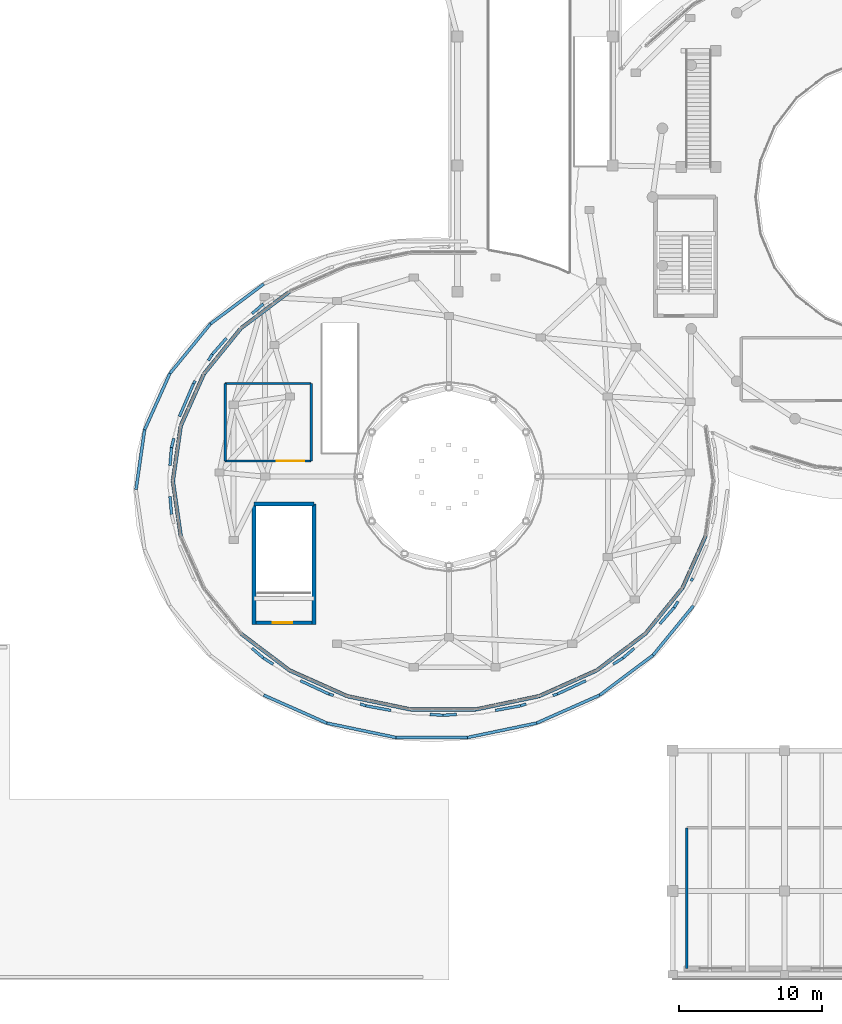
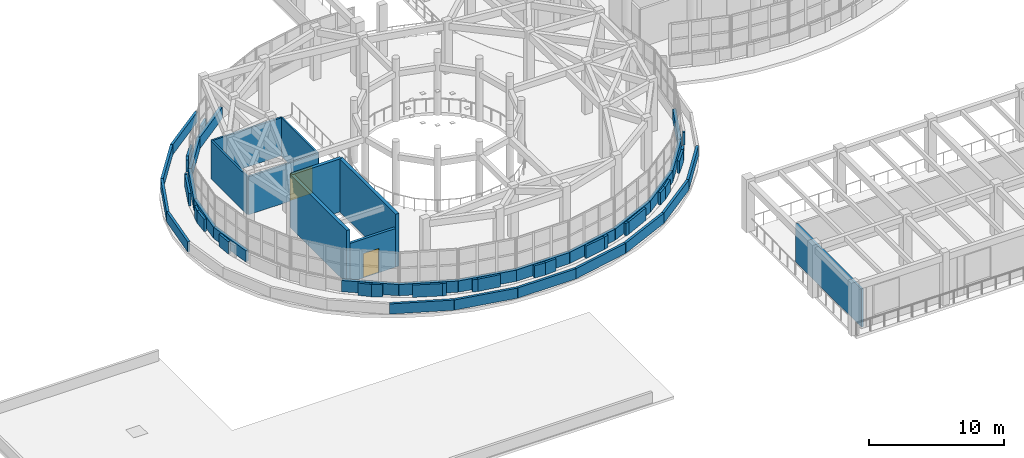
# One storey, part 70 of 98: 59 walls, 2 doors, 2 openings.
"""IFC4 building model written with IfcOpenShell, lengths in metres."""

from ifc_helpers import new_model, si_unit, direction, frame, frame_2d, origin, place, context, subcontext, project, spatial, rectangle, extrude, material, layer, layer_set, type_object, element, fill, save


model = new_model("IFC4")

# Units and contexts
model_context = context("Model", 3, precision=1e-05, world=origin(), true_north=direction((0.0, 1.0)))
body_context = subcontext(model_context, "Body", "Model", "MODEL_VIEW")
ifc_project = project(units=[si_unit("LENGTHUNIT", "METRE"), si_unit("AREAUNIT", "SQUARE_METRE"), si_unit("VOLUMEUNIT", "CUBIC_METRE"), si_unit("PLANEANGLEUNIT", "RADIAN"), si_unit("MASSUNIT", "GRAM", prefix="KILO")], contexts=[model_context])

# Site, building, storey
site_placement = place(None, origin())
site = spatial("IfcSite", under=ifc_project, at=site_placement, CompositionType="ELEMENT")
building_placement = place(site_placement, origin())
building = spatial("IfcBuilding", under=site, at=building_placement, Name="Pelvatis Terrace Science Centre", CompositionType="ELEMENT")
storey_placement = place(building_placement, frame((0.0, 0.0, 5.39990234375)))
storey = spatial("IfcBuildingStorey", under=building, at=storey_placement, Name="L01", CompositionType="ELEMENT", Elevation=5.39990234375)

# Walls
ifc_material_1 = material(Name="White architectural precast concrete C40/50 spandrel", Category="concrete")
ifc_layer_1 = layer(ifc_material_1, 0.260009765625)
ifc_layer_set_1 = layer_set([ifc_layer_1], Name="White architectural precast concrete C40/50 spandrel")
wall_type_1 = type_object("IfcWallType", Name="WL-EXT-SPND-260", PredefinedType="SOLIDWALL", material=ifc_layer_set_1)
wall_1_placement = place(storey_placement, frame((35.69189453125, 48.0087890625, 0.0), z_axis=(0.0, 0.0, 1.0), x_axis=(-0.798346644806, -0.602198168983, 0.0)))
element("IfcWall", 1, at=wall_1_placement, inside=storey, type_object=wall_type_1, Name="V3 white spiral spandrel band 10 (L01)", PredefinedType="SOLIDWALL", context=body_context, shape_type="SweptSolid", body=[
    extrude(rectangle(XDim=4.260498046875, YDim=0.260009765625, at=frame_2d((2.13037109375, 0.0))), origin(), (0.0, 0.0, 1.0), 1.02001953125),
])
wall_2_placement = place(storey_placement, frame((32.29052734375, 45.443115234375, 0.0), z_axis=(0.0, 0.0, 1.0), x_axis=(-0.629715516783, -0.776825828563, 0.0)))
element("IfcWall", 2, at=wall_2_placement, inside=storey, type_object=wall_type_1, Name="V3 white spiral spandrel band 11 (L01)", PredefinedType="SOLIDWALL", context=body_context, shape_type="SweptSolid", body=[
    extrude(rectangle(XDim=4.09912109375, YDim=0.260009765625, at=frame_2d((2.049560546875, 0.0))), origin(), (0.0, 0.0, 1.0), 1.02001953125),
])
wall_3_placement = place(storey_placement, frame((29.709228515625, 42.2587890625, 0.0), z_axis=(0.0, 0.0, 1.0), x_axis=(-0.406921913595, -0.91346294738, 0.0)))
element("IfcWall", 3, at=wall_3_placement, inside=storey, type_object=wall_type_1, Name="V3 white spiral spandrel band 12 (L01)", PredefinedType="SOLIDWALL", context=body_context, shape_type="SweptSolid", body=[
    extrude(rectangle(XDim=3.96044921875, YDim=0.260009765625, at=frame_2d((1.980224609375, 0.0))), origin(), (0.0, 0.0, 1.0), 1.02001953125),
])
for number, where, z_axis, x_axis, name in (
    (4, (28.09765625, 38.64111328125, 0.0), (0.0, 0.0, 1.0), (-0.141139449152, -0.989989725145, 0.0), "V3 white spiral spandrel band 13 (L01)"),
    (5, (27.550048828125, 34.800048828125, 0.0), (0.0, 0.0, 1.0), (0.141139449152, -0.989989725145, 0.0), "V3 white spiral spandrel band 14 (L01)"),
):
    element("IfcWall", number, at=place(storey_placement, frame(where, z_axis=z_axis, x_axis=x_axis)), inside=storey, type_object=wall_type_1, Name=name, PredefinedType="SOLIDWALL", context=body_context, shape_type="SweptSolid", body=[
        extrude(rectangle(XDim=3.8798828125, YDim=0.260009765625, at=frame_2d((1.93994140625, 0.0))), origin(), (0.0, 0.0, 1.0), 1.02001953125),
    ])
wall_4_placement = place(storey_placement, frame((32.29052734375, 24.156982421875, 0.0), z_axis=(0.0, 0.0, 1.0), x_axis=(0.798319095723, -0.602234689639, 0.0)))
element("IfcWall", 6, at=wall_4_placement, inside=storey, type_object=wall_type_1, Name="V3 white spiral spandrel band 17 (L01)", PredefinedType="SOLIDWALL", context=body_context, shape_type="SweptSolid", body=[
    extrude(rectangle(XDim=4.2607421875, YDim=0.260009765625, at=frame_2d((2.13037109375, 0.0))), origin(), (0.0, 0.0, 1.0), 1.02001953125),
])
wall_5_placement = place(storey_placement, frame((35.69189453125, 21.591064453125, 0.0), z_axis=(0.0, 0.0, 1.0), x_axis=(0.91299422414, -0.407972482757, 0.0)))
element("IfcWall", 7, at=wall_5_placement, inside=storey, type_object=wall_type_1, Name="V3 white spiral spandrel band 18 (L01)", PredefinedType="SOLIDWALL", context=body_context, shape_type="SweptSolid", body=[
    extrude(rectangle(XDim=4.407470703125, YDim=0.260009765625, at=frame_2d((2.20361328125, 0.0))), origin(), (0.0, 0.0, 1.0), 1.02001953125),
])
wall_6_placement = place(storey_placement, frame((39.7158203125, 19.79296875, 0.0), z_axis=(0.0, 0.0, 1.0), x_axis=(0.9786765816, -0.205407275012, 0.0)))
element("IfcWall", 8, at=wall_6_placement, inside=storey, type_object=wall_type_1, Name="V3 white spiral spandrel band 19 (L01)", PredefinedType="SOLIDWALL", context=body_context, shape_type="SweptSolid", body=[
    extrude(rectangle(XDim=4.50830078125, YDim=0.260009765625, at=frame_2d((2.254150390625, 0.0))), origin(), (0.0, 0.0, 1.0), 1.02001953125),
])
wall_7_placement = place(storey_placement, frame((44.1279296875, 18.866943359375, 0.0), z_axis=(0.0, 0.0, 1.0), x_axis=(1.0, 0.0, 0.0)))
element("IfcWall", 9, at=wall_7_placement, inside=storey, type_object=wall_type_1, Name="V3 white spiral spandrel band 20 (L01)", PredefinedType="SOLIDWALL", context=body_context, shape_type="SweptSolid", body=[
    extrude(rectangle(XDim=4.544189453125, YDim=0.260009765625, at=frame_2d((2.27197265625, 0.0))), origin(), (0.0, 0.0, 1.0), 1.02001953125),
])
wall_8_placement = place(storey_placement, frame((48.672119140625, 18.866943359375, 0.0), z_axis=(0.0, 0.0, 1.0), x_axis=(0.9786765816, 0.205407275012, 0.0)))
element("IfcWall", 10, at=wall_8_placement, inside=storey, type_object=wall_type_1, Name="V3 white spiral spandrel band 21 (L01)", PredefinedType="SOLIDWALL", context=body_context, shape_type="SweptSolid", body=[
    extrude(rectangle(XDim=4.50830078125, YDim=0.260009765625, at=frame_2d((2.254150390625, 0.0))), origin(), (0.0, 0.0, 1.0), 1.02001953125),
])
wall_9_placement = place(storey_placement, frame((53.084228515625, 19.79296875, 0.0), z_axis=(0.0, 0.0, 1.0), x_axis=(0.912985003676, 0.407993116441, 0.0)))
element("IfcWall", 11, at=wall_9_placement, inside=storey, type_object=wall_type_1, Name="V3 white spiral spandrel band 22 (L01)", PredefinedType="SOLIDWALL", context=body_context, shape_type="SweptSolid", body=[
    extrude(rectangle(XDim=4.4072265625, YDim=0.260009765625, at=frame_2d((2.20361328125, 0.0))), origin(), (0.0, 0.0, 1.0), 1.02001953125),
])
wall_10_placement = place(storey_placement, frame((57.10791015625, 21.591064453125, 0.0), z_axis=(0.0, 0.0, 1.0), x_axis=(0.798339876644, 0.602207141572, 0.0)))
element("IfcWall", 12, at=wall_10_placement, inside=storey, type_object=wall_type_1, Name="V3 white spiral spandrel band 23 (L01)", PredefinedType="SOLIDWALL", context=body_context, shape_type="SweptSolid", body=[
    extrude(rectangle(XDim=4.2607421875, YDim=0.260009765625, at=frame_2d((2.13037109375, 0.0))), origin(), (0.0, 0.0, 1.0), 1.02001953125),
])
wall_11_placement = place(storey_placement, frame((60.509521484375, 24.156982421875, 0.0), z_axis=(0.0, 0.0, 1.0), x_axis=(0.629715516783, 0.776825828563, 0.0)))
element("IfcWall", 13, at=wall_11_placement, inside=storey, type_object=wall_type_1, Name="V3 white spiral spandrel band 24 (L01)", PredefinedType="SOLIDWALL", context=body_context, shape_type="SweptSolid", body=[
    extrude(rectangle(XDim=4.09912109375, YDim=0.260009765625, at=frame_2d((2.049560546875, 0.0))), origin(), (0.0, 0.0, 1.0), 1.02001953125),
])
wall_12_placement = place(storey_placement, frame((63.0908203125, 27.34130859375, 0.0), z_axis=(0.0, 0.0, 1.0), x_axis=(0.406921913595, 0.91346294738, 0.0)))
element("IfcWall", 14, at=wall_12_placement, inside=storey, type_object=wall_type_1, Name="V3 white spiral spandrel band 25 (L01)", PredefinedType="SOLIDWALL", context=body_context, shape_type="SweptSolid", body=[
    extrude(rectangle(XDim=3.96044921875, YDim=0.260009765625, at=frame_2d((1.980224609375, 0.0))), origin(), (0.0, 0.0, 1.0), 1.02001953125),
])

# Wall, opening, door
ifc_material_2 = material(Name="Concrete C35/45 stair enclosure wall", Category="concrete")
ifc_layer_2 = layer(ifc_material_2, 0.22509765625)
ifc_layer_set_2 = layer_set([ifc_layer_2], Name="Concrete C35/45 stair enclosure wall")
wall_type_2 = type_object("IfcWallType", Name="WL-INT-CORE-225", PredefinedType="PARTITIONING", material=ifc_layer_set_2)
wall_13_placement = place(storey_placement, frame((33.340087890625, 24.919921875, 0.0), z_axis=(0.0, 0.0, 1.0), x_axis=(1.0, 0.0, 0.0)))
wall_13 = element("IfcWall", 15, at=wall_13_placement, inside=storey, type_object=wall_type_2, Name="Stair ST-08 shaft wall S (L01)", PredefinedType="PARTITIONING", context=body_context, shape_type="SweptSolid", body=[
    extrude(rectangle(XDim=3.919921875, YDim=0.22509765625, at=frame_2d((1.9599609375, 0.0))), origin(), (0.0, 0.0, 1.0), 3.510009765625),
])
opening_1_placement = place(wall_13_placement, frame((1.173095703125, 0.0, 0.0)))
opening_1 = element("IfcOpeningElement", 16, at=opening_1_placement, cuts=wall_13, Name="Opening D-161", PredefinedType="OPENING", context=body_context, shape_type="SweptSolid", body=[
    extrude(rectangle(XDim=1.35009765625, YDim=2.199951171875, at=frame_2d((0.675048828125, 1.10009765625))), frame((0.0, 0.12255859375, 0.0), z_axis=(0.0, -1.0, 0.0), x_axis=(1.0, 0.0, 0.0)), (0.0, 0.0, 1.0), 0.2451171875),
])
ifc_material_3 = material(Name="Steel fire-rated protected stair door", Category="steel")
door_type_1 = type_object("IfcDoorType", Name="DR-STAIR-1350x2200", OperationType="NOTDEFINED", PredefinedType="DOOR", material=ifc_material_3)
door_1_placement = place(opening_1_placement, origin())
door_1 = element("IfcDoor", 17, at=door_1_placement, inside=storey, type_object=door_type_1, Name="Stair ST-08 fire door (L01)", OperationType="SINGLE_SWING_RIGHT", OverallHeight=2.199951171875, OverallWidth=1.35009765625, PredefinedType="DOOR", context=body_context, shape_type="SweptSolid", body=[
    extrude(rectangle(XDim=1.35009765625, YDim=2.199951171875, at=frame_2d((0.675048828125, 1.10009765625))), frame((0.0, 0.02490234375, 0.0), z_axis=(0.0, -1.0, 0.0), x_axis=(1.0, 0.0, 0.0)), (0.0, 0.0, 1.0), 0.050048828125),
])
fill(opening_1, door_1)

ifc_material_4 = material(Name="Exhibition gallery display partition", Category="masonry")
ifc_layer_3 = layer(ifc_material_4, 0.155029296875)
ifc_layer_set_3 = layer_set([ifc_layer_3], Name="Exhibition gallery display partition")
wall_type_3 = type_object("IfcWallType", Name="WL-INT-GAL-155", PredefinedType="PARTITIONING", material=ifc_layer_set_3)
wall_14_placement = place(storey_placement, frame((31.199951171875, 36.199951171875, 0.0), z_axis=(0.0, 0.0, 1.0), x_axis=(1.0, 0.0, 0.0)))
wall_14 = element("IfcWall", 18, at=wall_14_placement, inside=storey, type_object=wall_type_3, Name="West Oculus Botanical Display Gallery partition wall S", PredefinedType="PARTITIONING", context=body_context, shape_type="SweptSolid", body=[
    extrude(rectangle(XDim=6.0, YDim=0.155029296875, at=frame_2d((3.0, 0.0))), origin(), (0.0, 0.0, 1.0), 3.4501953125),
])
opening_2_placement = place(wall_14_placement, frame((3.60009765625, 0.0, 0.0)))
opening_2 = element("IfcOpeningElement", 19, at=opening_2_placement, cuts=wall_14, Name="Opening D-190", PredefinedType="OPENING", context=body_context, shape_type="SweptSolid", body=[
    extrude(rectangle(XDim=1.89990234375, YDim=2.449951171875, at=frame_2d((0.949951171875, 1.22509765625))), frame((0.0, 0.08740234375, 0.0), z_axis=(0.0, -1.0, 0.0), x_axis=(1.0, 0.0, 0.0)), (0.0, 0.0, 1.0), 0.175048828125),
])
ifc_material_5 = material(Name="Acoustic glazed gallery double door", Category="glass")
door_type_2 = type_object("IfcDoorType", Name="DR-GAL-1900x2450", OperationType="NOTDEFINED", PredefinedType="DOOR", material=ifc_material_5)
door_2_placement = place(opening_2_placement, origin())
door_2 = element("IfcDoor", 20, at=door_2_placement, inside=storey, type_object=door_type_2, Name="West Oculus Botanical Display Gallery entrance door", OperationType="DOUBLE_DOOR_SINGLE_SWING", OverallHeight=2.449951171875, OverallWidth=1.89990234375, PredefinedType="DOOR", context=body_context, shape_type="SweptSolid", body=[
    extrude(rectangle(XDim=1.89990234375, YDim=2.449951171875, at=frame_2d((0.949951171875, 1.22509765625))), frame((0.0, 0.02490234375, 0.0), z_axis=(0.0, -1.0, 0.0), x_axis=(1.0, 0.0, 0.0)), (0.0, 0.0, 1.0), 0.050048828125),
])
fill(opening_2, door_2)

# Walls
wall_15_placement = place(storey_placement, frame((37.199951171875, 36.199951171875, 0.0), z_axis=(0.0, 0.0, 1.0), x_axis=(0.0, 1.0, 0.0)))
element("IfcWall", 21, at=wall_15_placement, inside=storey, type_object=wall_type_3, Name="West Oculus Botanical Display Gallery partition wall E", PredefinedType="PARTITIONING", context=body_context, shape_type="SweptSolid", body=[
    extrude(rectangle(XDim=5.400146484375, YDim=0.155029296875, at=frame_2d((2.7001953125, 0.0))), origin(), (0.0, 0.0, 1.0), 3.4501953125),
])
wall_16_placement = place(storey_placement, frame((37.199951171875, 41.60009765625, 0.0), z_axis=(0.0, 0.0, 1.0), x_axis=(-1.0, 0.0, 0.0)))
element("IfcWall", 22, at=wall_16_placement, inside=storey, type_object=wall_type_3, Name="West Oculus Botanical Display Gallery partition wall N", PredefinedType="PARTITIONING", context=body_context, shape_type="SweptSolid", body=[
    extrude(rectangle(XDim=6.0, YDim=0.155029296875, at=frame_2d((3.0, 0.0))), origin(), (0.0, 0.0, 1.0), 3.4501953125),
])
wall_17_placement = place(storey_placement, frame((31.199951171875, 41.60009765625, 0.0), z_axis=(0.0, 0.0, 1.0), x_axis=(0.0, -1.0, 0.0)))
element("IfcWall", 23, at=wall_17_placement, inside=storey, type_object=wall_type_3, Name="West Oculus Botanical Display Gallery partition wall W", PredefinedType="PARTITIONING", context=body_context, shape_type="SweptSolid", body=[
    extrude(rectangle(XDim=5.400146484375, YDim=0.155029296875, at=frame_2d((2.7001953125, 0.0))), origin(), (0.0, 0.0, 1.0), 3.4501953125),
])
ifc_material_6 = material(Name="Moisture-resistant laboratory partition", Category="masonry")
ifc_layer_4 = layer(ifc_material_6, 0.175048828125)
ifc_layer_set_4 = layer_set([ifc_layer_4], Name="Moisture-resistant laboratory partition")
wall_type_4 = type_object("IfcWallType", Name="WL-INT-LAB-175", PredefinedType="PARTITIONING", material=ifc_layer_set_4)
wall_18_placement = place(storey_placement, frame((63.39990234375, 10.60009765625, 0.0), z_axis=(0.0, 0.0, 1.0), x_axis=(0.0, -1.0, 0.0)))
element("IfcWall", 24, at=wall_18_placement, inside=storey, type_object=wall_type_4, Name="Wet Biology and Microscopy Teaching Laboratory 1 partition wall W", PredefinedType="PARTITIONING", context=body_context, shape_type="SweptSolid", body=[
    extrude(rectangle(XDim=9.800048828125, YDim=0.175048828125, at=frame_2d((4.89990234375, 0.0))), origin(), (0.0, 0.0, 1.0), 3.4501953125),
])
ifc_material_7 = material(Name="White architectural precast concrete C40/50 spandrel parapet", Category="concrete")
ifc_layer_5 = layer(ifc_material_7, 0.18994140625)
ifc_layer_set_5 = layer_set([ifc_layer_5], Name="White architectural precast concrete C40/50 spandrel parapet")
wall_type_5 = type_object("IfcWallType", Name="WL-PAR-190", PredefinedType="PARAPET", material=ifc_layer_set_5)
wall_19_placement = place(storey_placement, frame((63.811767578125, 28.015380859375, 0.0), z_axis=(0.0, 0.0, 1.0), x_axis=(-0.538872361831, -0.842387427289, 0.0)))
element("IfcWall", 25, at=wall_19_placement, inside=storey, type_object=wall_type_5, Name="Perimeter edge closure parapet PW-EDG-L01-199", PredefinedType="PARAPET", context=body_context, shape_type="SweptSolid", body=[
    extrude(rectangle(XDim=0.229248046875, YDim=0.18994140625, at=frame_2d((0.11474609375, 0.0))), origin(), (0.0, 0.0, 1.0), 1.1201171875),
])
wall_20_placement = place(storey_placement, frame((62.78173828125, 26.404296875, 0.0), z_axis=(0.0, 0.0, 1.0), x_axis=(-0.538435942367, -0.842666444073, 0.0)))
element("IfcWall", 26, at=wall_20_placement, inside=storey, type_object=wall_type_5, Name="Perimeter edge closure parapet PW-EDG-L01-200", PredefinedType="PARAPET", context=body_context, shape_type="SweptSolid", body=[
    extrude(rectangle(XDim=0.51611328125, YDim=0.18994140625, at=frame_2d((0.258056640625, 0.0))), origin(), (0.0, 0.0, 1.0), 1.1201171875),
])
wall_21_placement = place(storey_placement, frame((62.50390625, 25.969482421875, 0.0), z_axis=(0.0, 0.0, 1.0), x_axis=(-0.659158234925, -0.75200426949, 0.0)))
element("IfcWall", 27, at=wall_21_placement, inside=storey, type_object=wall_type_5, Name="Perimeter edge closure parapet PW-EDG-L01-201", PredefinedType="PARAPET", context=body_context, shape_type="SweptSolid", body=[
    extrude(rectangle(XDim=1.5068359375, YDim=0.18994140625, at=frame_2d((0.75341796875, 0.0))), origin(), (0.0, 0.0, 1.0), 1.1201171875),
])
wall_22_placement = place(storey_placement, frame((59.72607421875, 23.127685546875, 0.0), z_axis=(0.0, 0.0, 1.0), x_axis=(-0.760368834137, -0.649491521171, 0.0)))
element("IfcWall", 28, at=wall_22_placement, inside=storey, type_object=wall_type_5, Name="Perimeter edge closure parapet PW-EDG-L01-202", PredefinedType="PARAPET", context=body_context, shape_type="SweptSolid", body=[
    extrude(rectangle(XDim=1.037109375, YDim=0.18994140625, at=frame_2d((0.5185546875, 0.0))), origin(), (0.0, 0.0, 1.0), 1.1201171875),
])
wall_23_placement = place(storey_placement, frame((58.9375, 22.4541015625, 0.0), z_axis=(0.0, 0.0, 1.0), x_axis=(-0.842473020113, -0.538738536196, 0.0)))
element("IfcWall", 29, at=wall_23_placement, inside=storey, type_object=wall_type_5, Name="Perimeter edge closure parapet PW-EDG-L01-203", PredefinedType="PARAPET", context=body_context, shape_type="SweptSolid", body=[
    extrude(rectangle(XDim=0.8134765625, YDim=0.18994140625, at=frame_2d((0.40673828125, 0.0))), origin(), (0.0, 0.0, 1.0), 1.1201171875),
])
wall_24_placement = place(storey_placement, frame((56.355224609375, 20.871337890625, 0.0), z_axis=(0.0, 0.0, 1.0), x_axis=(-0.906279152492, -0.422679663289, 0.0)))
element("IfcWall", 30, at=wall_24_placement, inside=storey, type_object=wall_type_5, Name="Perimeter edge closure parapet PW-EDG-L01-204", PredefinedType="PARAPET", context=body_context, shape_type="SweptSolid", body=[
    extrude(rectangle(XDim=2.208251953125, YDim=0.18994140625, at=frame_2d((1.10400390625, 0.0))), origin(), (0.0, 0.0, 1.0), 1.1201171875),
])
wall_25_placement = place(storey_placement, frame((54.35400390625, 19.93798828125, 0.0), z_axis=(0.0, 0.0, 1.0), x_axis=(-0.952725053414, -0.303833791073, 0.0)))
element("IfcWall", 31, at=wall_25_placement, inside=storey, type_object=wall_type_5, Name="Perimeter edge closure parapet PW-EDG-L01-205", PredefinedType="PARAPET", context=body_context, shape_type="SweptSolid", body=[
    extrude(rectangle(XDim=0.31982421875, YDim=0.18994140625, at=frame_2d((0.159912109375, 0.0))), origin(), (0.0, 0.0, 1.0), 1.1201171875),
])
wall_26_placement = place(storey_placement, frame((52.181884765625, 19.24609375, 0.0), z_axis=(0.0, 0.0, 1.0), x_axis=(-0.952688821483, -0.303947379363, 0.0)))
element("IfcWall", 32, at=wall_26_placement, inside=storey, type_object=wall_type_5, Name="Perimeter edge closure parapet PW-EDG-L01-206", PredefinedType="PARAPET", context=body_context, shape_type="SweptSolid", body=[
    extrude(rectangle(XDim=0.406494140625, YDim=0.18994140625, at=frame_2d((0.203125, 0.0))), origin(), (0.0, 0.0, 1.0), 1.1201171875),
])
wall_27_placement = place(storey_placement, frame((51.794677734375, 19.12255859375, 0.0), z_axis=(0.0, 0.0, 1.0), x_axis=(-0.983169031577, -0.182698263122, 0.0)))
element("IfcWall", 33, at=wall_27_placement, inside=storey, type_object=wall_type_5, Name="Perimeter edge closure parapet PW-EDG-L01-207", PredefinedType="PARAPET", context=body_context, shape_type="SweptSolid", body=[
    extrude(rectangle(XDim=1.780029296875, YDim=0.18994140625, at=frame_2d((0.89013671875, 0.0))), origin(), (0.0, 0.0, 1.0), 1.1201171875),
])
wall_28_placement = place(storey_placement, frame((47.331298828125, 18.51708984375, 0.0), z_axis=(0.0, 0.0, 1.0), x_axis=(-0.998140141704, -0.060961114814, 0.0)))
element("IfcWall", 34, at=wall_28_placement, inside=storey, type_object=wall_type_5, Name="Perimeter edge closure parapet PW-EDG-L01-208", PredefinedType="PARAPET", context=body_context, shape_type="SweptSolid", body=[
    extrude(rectangle(XDim=0.93310546875, YDim=0.18994140625, at=frame_2d((0.466552734375, 0.0))), origin(), (0.0, 0.0, 1.0), 1.1201171875),
])
wall_29_placement = place(storey_placement, frame((46.39990234375, 18.460205078125, 0.0), z_axis=(0.0, 0.0, 1.0), x_axis=(-0.998139169017, 0.060977038904, 0.0)))
element("IfcWall", 35, at=wall_29_placement, inside=storey, type_object=wall_type_5, Name="Perimeter edge closure parapet PW-EDG-L01-209", PredefinedType="PARAPET", context=body_context, shape_type="SweptSolid", body=[
    extrude(rectangle(XDim=0.932861328125, YDim=0.18994140625, at=frame_2d((0.46630859375, 0.0))), origin(), (0.0, 0.0, 1.0), 1.1201171875),
])
wall_30_placement = place(storey_placement, frame((42.75537109375, 18.79736328125, 0.0), z_axis=(0.0, 0.0, 1.0), x_axis=(-0.983169031577, 0.182698263122, 0.0)))
element("IfcWall", 36, at=wall_30_placement, inside=storey, type_object=wall_type_5, Name="Perimeter edge closure parapet PW-EDG-L01-210", PredefinedType="PARAPET", context=body_context, shape_type="SweptSolid", body=[
    extrude(rectangle(XDim=1.780029296875, YDim=0.18994140625, at=frame_2d((0.89013671875, 0.0))), origin(), (0.0, 0.0, 1.0), 1.1201171875),
])
wall_31_placement = place(storey_placement, frame((41.00537109375, 19.12255859375, 0.0), z_axis=(0.0, 0.0, 1.0), x_axis=(-0.952744267711, 0.303773534633, 0.0)))
element("IfcWall", 37, at=wall_31_placement, inside=storey, type_object=wall_type_5, Name="Perimeter edge closure parapet PW-EDG-L01-211", PredefinedType="PARAPET", context=body_context, shape_type="SweptSolid", body=[
    extrude(rectangle(XDim=0.40673828125, YDim=0.18994140625, at=frame_2d((0.203369140625, 0.0))), origin(), (0.0, 0.0, 1.0), 1.1201171875),
])
wall_32_placement = place(storey_placement, frame((38.75048828125, 19.8408203125, 0.0), z_axis=(0.0, 0.0, 1.0), x_axis=(-0.952725053414, 0.303833791073, 0.0)))
element("IfcWall", 38, at=wall_32_placement, inside=storey, type_object=wall_type_5, Name="Perimeter edge closure parapet PW-EDG-L01-212", PredefinedType="PARAPET", context=body_context, shape_type="SweptSolid", body=[
    extrude(rectangle(XDim=0.31982421875, YDim=0.18994140625, at=frame_2d((0.159912109375, 0.0))), origin(), (0.0, 0.0, 1.0), 1.1201171875),
])
wall_33_placement = place(storey_placement, frame((38.44580078125, 19.93798828125, 0.0), z_axis=(0.0, 0.0, 1.0), x_axis=(-0.906259396673, 0.422722019703, 0.0)))
element("IfcWall", 39, at=wall_33_placement, inside=storey, type_object=wall_type_5, Name="Perimeter edge closure parapet PW-EDG-L01-213", PredefinedType="PARAPET", context=body_context, shape_type="SweptSolid", body=[
    extrude(rectangle(XDim=2.2080078125, YDim=0.18994140625, at=frame_2d((1.10400390625, 0.0))), origin(), (0.0, 0.0, 1.0), 1.1201171875),
])
wall_34_placement = place(storey_placement, frame((34.547607421875, 22.015869140625, 0.0), z_axis=(0.0, 0.0, 1.0), x_axis=(-0.84238587673, 0.53887478572, 0.0)))
element("IfcWall", 40, at=wall_34_placement, inside=storey, type_object=wall_type_5, Name="Perimeter edge closure parapet PW-EDG-L01-214", PredefinedType="PARAPET", context=body_context, shape_type="SweptSolid", body=[
    extrude(rectangle(XDim=0.813232421875, YDim=0.18994140625, at=frame_2d((0.40673828125, 0.0))), origin(), (0.0, 0.0, 1.0), 1.1201171875),
])
wall_35_placement = place(storey_placement, frame((33.862548828125, 22.4541015625, 0.0), z_axis=(0.0, 0.0, 1.0), x_axis=(-0.760368834137, 0.649491521171, 0.0)))
element("IfcWall", 41, at=wall_35_placement, inside=storey, type_object=wall_type_5, Name="Perimeter edge closure parapet PW-EDG-L01-215", PredefinedType="PARAPET", context=body_context, shape_type="SweptSolid", body=[
    extrude(rectangle(XDim=1.037109375, YDim=0.18994140625, at=frame_2d((0.5185546875, 0.0))), origin(), (0.0, 0.0, 1.0), 1.1201171875),
])
for number, where, z_axis, x_axis, name in (
    (42, (27.454833984375, 32.47607421875, 0.0), (0.0, 0.0, 1.0), (-0.083499670504, 0.996507804799, 0.0), "Perimeter edge closure parapet PW-EDG-L01-221"),
    (43, (27.350830078125, 35.8828125, 0.0), (0.0, 0.0, 1.0), (0.083499670504, 0.996507804799, 0.0), "Perimeter edge closure parapet PW-EDG-L01-222"),
):
    element("IfcWall", number, at=place(storey_placement, frame(where, z_axis=z_axis, x_axis=x_axis)), inside=storey, type_object=wall_type_5, Name=name, PredefinedType="PARAPET", context=body_context, shape_type="SweptSolid", body=[
        extrude(rectangle(XDim=1.24560546875, YDim=0.18994140625, at=frame_2d((0.622802734375, 0.0))), origin(), (0.0, 0.0, 1.0), 1.1201171875),
    ])
wall_36_placement = place(storey_placement, frame((27.454833984375, 37.1240234375, 0.0), z_axis=(0.0, 0.0, 1.0), x_axis=(0.246803227861, 0.96906561528, 0.0)))
element("IfcWall", 44, at=wall_36_placement, inside=storey, type_object=wall_type_5, Name="Perimeter edge closure parapet PW-EDG-L01-223", PredefinedType="PARAPET", context=body_context, shape_type="SweptSolid", body=[
    extrude(rectangle(XDim=0.672607421875, YDim=0.18994140625, at=frame_2d((0.33642578125, 0.0))), origin(), (0.0, 0.0, 1.0), 1.1201171875),
])
wall_37_placement = place(storey_placement, frame((28.010009765625, 39.304443359375, 0.0), z_axis=(0.0, 0.0, 1.0), x_axis=(0.394299302617, 0.918982078147, 0.0)))
element("IfcWall", 45, at=wall_37_placement, inside=storey, type_object=wall_type_5, Name="Perimeter edge closure parapet PW-EDG-L01-224", PredefinedType="PARAPET", context=body_context, shape_type="SweptSolid", body=[
    extrude(rectangle(XDim=2.48095703125, YDim=0.18994140625, at=frame_2d((1.240478515625, 0.0))), origin(), (0.0, 0.0, 1.0), 1.1201171875),
])
wall_38_placement = place(storey_placement, frame((28.98828125, 41.58447265625, 0.0), z_axis=(0.0, 0.0, 1.0), x_axis=(0.538389277102, 0.842696259812, 0.0)))
element("IfcWall", 46, at=wall_38_placement, inside=storey, type_object=wall_type_5, Name="Perimeter edge closure parapet PW-EDG-L01-225", PredefinedType="PARAPET", context=body_context, shape_type="SweptSolid", body=[
    extrude(rectangle(XDim=0.2294921875, YDim=0.18994140625, at=frame_2d((0.11474609375, 0.0))), origin(), (0.0, 0.0, 1.0), 1.1201171875),
])
wall_39_placement = place(storey_placement, frame((30.018310546875, 43.19580078125, 0.0), z_axis=(0.0, 0.0, 1.0), x_axis=(0.53831456042, 0.842743990806, 0.0)))
element("IfcWall", 47, at=wall_39_placement, inside=storey, type_object=wall_type_5, Name="Perimeter edge closure parapet PW-EDG-L01-226", PredefinedType="PARAPET", context=body_context, shape_type="SweptSolid", body=[
    extrude(rectangle(XDim=0.515625, YDim=0.18994140625, at=frame_2d((0.2578125, 0.0))), origin(), (0.0, 0.0, 1.0), 1.1201171875),
])
wall_40_placement = place(storey_placement, frame((30.2958984375, 43.63037109375, 0.0), z_axis=(0.0, 0.0, 1.0), x_axis=(0.659169545644, 0.751994355095, 0.0)))
element("IfcWall", 48, at=wall_40_placement, inside=storey, type_object=wall_type_5, Name="Perimeter edge closure parapet PW-EDG-L01-227", PredefinedType="PARAPET", context=body_context, shape_type="SweptSolid", body=[
    extrude(rectangle(XDim=1.507080078125, YDim=0.18994140625, at=frame_2d((0.75341796875, 0.0))), origin(), (0.0, 0.0, 1.0), 1.1201171875),
])
wall_41_placement = place(storey_placement, frame((33.073974609375, 46.472412109375, 0.0), z_axis=(0.0, 0.0, 1.0), x_axis=(0.760368834137, 0.649491521171, 0.0)))
element("IfcWall", 49, at=wall_41_placement, inside=storey, type_object=wall_type_5, Name="Perimeter edge closure parapet PW-EDG-L01-228", PredefinedType="PARAPET", context=body_context, shape_type="SweptSolid", body=[
    extrude(rectangle(XDim=1.037109375, YDim=0.18994140625, at=frame_2d((0.5185546875, 0.0))), origin(), (0.0, 0.0, 1.0), 1.1201171875),
])
ifc_material_8 = material(Name="White architectural precast concrete C40/50 spandrel parapet", Category="concrete")
ifc_layer_6 = layer(ifc_material_8, 0.205078125)
ifc_layer_set_6 = layer_set([ifc_layer_6], Name="White architectural precast concrete C40/50 spandrel parapet")
wall_type_6 = type_object("IfcWallType", Name="WL-PAR-205", PredefinedType="PARAPET", material=ifc_layer_set_6)
wall_42_placement = place(storey_placement, frame((33.886474609375, 48.536376953125, 0.0), z_axis=(0.0, 0.0, 1.0), x_axis=(-0.800604774623, -0.599192786047, 0.0)))
element("IfcWall", 50, at=wall_42_placement, inside=storey, type_object=wall_type_6, Name="White spiral ring parapet PW-CRV-L01-119", PredefinedType="PARAPET", context=body_context, shape_type="SweptSolid", body=[
    extrude(rectangle(XDim=4.6474609375, YDim=0.205078125, at=frame_2d((2.32373046875, 0.0))), origin(), (0.0, 0.0, 1.0), 0.920166015625),
])
wall_43_placement = place(storey_placement, frame((30.165771484375, 45.751708984375, 0.0), z_axis=(0.0, 0.0, 1.0), x_axis=(-0.632713392768, -0.77438605528, 0.0)))
element("IfcWall", 51, at=wall_43_placement, inside=storey, type_object=wall_type_6, Name="White spiral ring parapet PW-CRV-L01-120", PredefinedType="PARAPET", context=body_context, shape_type="SweptSolid", body=[
    extrude(rectangle(XDim=4.46337890625, YDim=0.205078125, at=frame_2d((2.231689453125, 0.0))), origin(), (0.0, 0.0, 1.0), 0.920166015625),
])
wall_44_placement = place(storey_placement, frame((27.341796875, 42.29541015625, 0.0), z_axis=(0.0, 0.0, 1.0), x_axis=(-0.409546085012, -0.912289430089, 0.0)))
element("IfcWall", 52, at=wall_44_placement, inside=storey, type_object=wall_type_6, Name="White spiral ring parapet PW-CRV-L01-121", PredefinedType="PARAPET", context=body_context, shape_type="SweptSolid", body=[
    extrude(rectangle(XDim=4.303955078125, YDim=0.205078125, at=frame_2d((2.15185546875, 0.0))), origin(), (0.0, 0.0, 1.0), 0.920166015625),
])
wall_45_placement = place(storey_placement, frame((25.5791015625, 38.368896484375, 0.0), z_axis=(0.0, 0.0, 1.0), x_axis=(-0.142249064189, -0.989830896536, 0.0)))
element("IfcWall", 53, at=wall_45_placement, inside=storey, type_object=wall_type_6, Name="White spiral ring parapet PW-CRV-L01-122", PredefinedType="PARAPET", context=body_context, shape_type="SweptSolid", body=[
    extrude(rectangle(XDim=4.211669921875, YDim=0.205078125, at=frame_2d((2.10595703125, 0.0))), origin(), (0.0, 0.0, 1.0), 0.920166015625),
])
wall_46_placement = place(storey_placement, frame((33.886474609375, 19.863525390625, 0.0), z_axis=(0.0, 0.0, 1.0), x_axis=(0.91418544689, -0.40529614937, 0.0)))
element("IfcWall", 54, at=wall_46_placement, inside=storey, type_object=wall_type_6, Name="White spiral ring parapet PW-CRV-L01-127", PredefinedType="PARAPET", context=body_context, shape_type="SweptSolid", body=[
    extrude(rectangle(XDim=4.814697265625, YDim=0.205078125, at=frame_2d((2.4072265625, 0.0))), origin(), (0.0, 0.0, 1.0), 0.920166015625),
])
wall_47_placement = place(storey_placement, frame((38.2880859375, 17.912109375, 0.0), z_axis=(0.0, 0.0, 1.0), x_axis=(0.978995660806, -0.203881083289, 0.0)))
element("IfcWall", 55, at=wall_47_placement, inside=storey, type_object=wall_type_6, Name="White spiral ring parapet PW-CRV-L01-128", PredefinedType="PARAPET", context=body_context, shape_type="SweptSolid", body=[
    extrude(rectangle(XDim=4.929931640625, YDim=0.205078125, at=frame_2d((2.46484375, 0.0))), origin(), (0.0, 0.0, 1.0), 0.920166015625),
])
wall_48_placement = place(storey_placement, frame((43.114501953125, 16.906982421875, 0.0), z_axis=(0.0, 0.0, 1.0), x_axis=(1.0, 0.0, 0.0)))
element("IfcWall", 56, at=wall_48_placement, inside=storey, type_object=wall_type_6, Name="White spiral ring parapet PW-CRV-L01-129", PredefinedType="PARAPET", context=body_context, shape_type="SweptSolid", body=[
    extrude(rectangle(XDim=4.970947265625, YDim=0.205078125, at=frame_2d((2.4853515625, 0.0))), origin(), (0.0, 0.0, 1.0), 0.920166015625),
])
wall_49_placement = place(storey_placement, frame((48.08544921875, 16.906982421875, 0.0), z_axis=(0.0, 0.0, 1.0), x_axis=(0.978997719152, 0.203871199279, 0.0)))
element("IfcWall", 57, at=wall_49_placement, inside=storey, type_object=wall_type_6, Name="White spiral ring parapet PW-CRV-L01-130", PredefinedType="PARAPET", context=body_context, shape_type="SweptSolid", body=[
    extrude(rectangle(XDim=4.93017578125, YDim=0.205078125, at=frame_2d((2.465087890625, 0.0))), origin(), (0.0, 0.0, 1.0), 0.920166015625),
])
wall_50_placement = place(storey_placement, frame((52.912109375, 17.912109375, 0.0), z_axis=(0.0, 0.0, 1.0), x_axis=(0.914177117028, 0.405314937675, 0.0)))
element("IfcWall", 58, at=wall_50_placement, inside=storey, type_object=wall_type_6, Name="White spiral ring parapet PW-CRV-L01-131", PredefinedType="PARAPET", context=body_context, shape_type="SweptSolid", body=[
    extrude(rectangle(XDim=4.814453125, YDim=0.205078125, at=frame_2d((2.4072265625, 0.0))), origin(), (0.0, 0.0, 1.0), 0.920166015625),
])
wall_51_placement = place(storey_placement, frame((57.3134765625, 19.863525390625, 0.0), z_axis=(0.0, 0.0, 1.0), x_axis=(0.800579573698, 0.599226456507, 0.0)))
element("IfcWall", 59, at=wall_51_placement, inside=storey, type_object=wall_type_6, Name="White spiral ring parapet PW-CRV-L01-132", PredefinedType="PARAPET", context=body_context, shape_type="SweptSolid", body=[
    extrude(rectangle(XDim=4.6474609375, YDim=0.205078125, at=frame_2d((2.32373046875, 0.0))), origin(), (0.0, 0.0, 1.0), 0.920166015625),
])
wall_52_placement = place(storey_placement, frame((61.0341796875, 22.6484375, 0.0), z_axis=(0.0, 0.0, 1.0), x_axis=(0.632740194515, 0.774364156095, 0.0)))
element("IfcWall", 60, at=wall_52_placement, inside=storey, type_object=wall_type_6, Name="White spiral ring parapet PW-CRV-L01-133", PredefinedType="PARAPET", context=body_context, shape_type="SweptSolid", body=[
    extrude(rectangle(XDim=4.463134765625, YDim=0.205078125, at=frame_2d((2.2314453125, 0.0))), origin(), (0.0, 0.0, 1.0), 0.920166015625),
])
ifc_material_9 = material(Name="Concrete C40/50", Category="concrete")
ifc_layer_7 = layer(ifc_material_9, 0.280029296875)
ifc_layer_set_7 = layer_set([ifc_layer_7], Name="Concrete C40/50")
wall_type_7 = type_object("IfcWallType", Name="WL-SHR-280", PredefinedType="SHEAR", material=ifc_layer_set_7)
wall_53_placement = place(storey_placement, frame((33.199951171875, 33.199951171875, 0.0), z_axis=(0.0, 0.0, 1.0), x_axis=(1.0, 0.0, 0.0)))
element("IfcWall", 61, at=wall_53_placement, inside=storey, type_object=wall_type_7, Name="Stair ST-08 structural wall N (L01)", PredefinedType="SHEAR", context=body_context, shape_type="SweptSolid", body=[
    extrude(rectangle(XDim=4.199951171875, YDim=0.280029296875, at=frame_2d((2.10009765625, 0.0))), origin(), (0.0, 0.0, 1.0), 4.800048828125),
])
for number, where, z_axis, x_axis, name in (
    (62, (33.199951171875, 24.800048828125, 0.0), (0.0, 0.0, 1.0), (0.0, 1.0, 0.0), "Stair ST-08 structural wall W (L01)"),
    (63, (37.39990234375, 24.800048828125, 0.0), (0.0, 0.0, 1.0), (0.0, 1.0, 0.0), "Stair ST-08 structural wall E (L01)"),
):
    element("IfcWall", number, at=place(storey_placement, frame(where, z_axis=z_axis, x_axis=x_axis)), inside=storey, type_object=wall_type_7, Name=name, PredefinedType="SHEAR", context=body_context, shape_type="SweptSolid", body=[
        extrude(rectangle(XDim=8.39990234375, YDim=0.280029296875, at=frame_2d((4.199951171875, 0.0))), origin(), (0.0, 0.0, 1.0), 4.800048828125),
    ])

save(model, "model.ifc")
